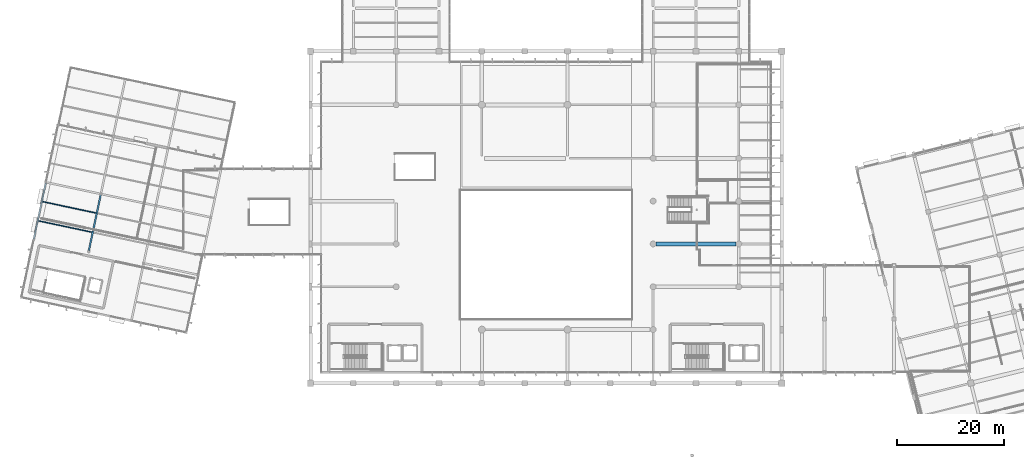
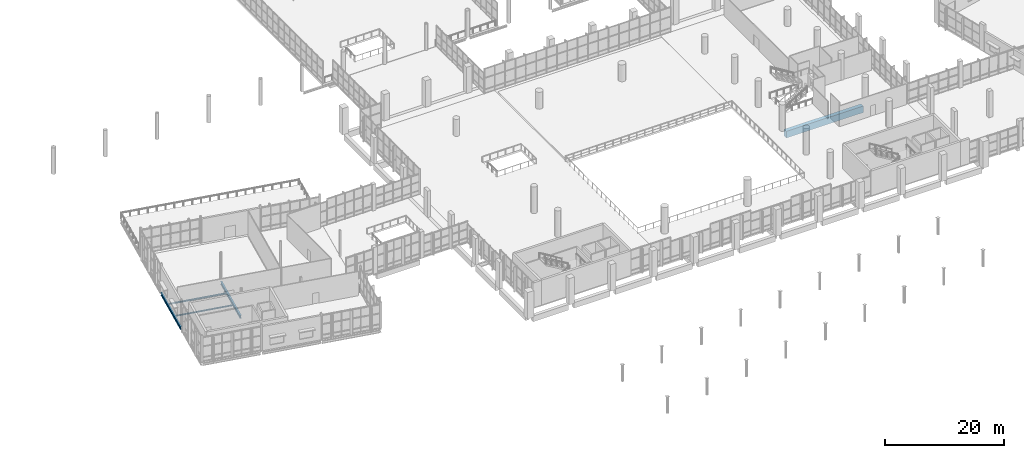
# One storey, part 36 of 176: 5 beams.
"""IFC4 building model written with IfcOpenShell, lengths in metres."""

from ifc_helpers import new_model, si_unit, direction, frame, origin, origin_2d, place, context, subcontext, project, spatial, rectangle, i_section, extrude, material, material_profile, profile_set, type_object, element, save


model = new_model("IFC4")

# Units and contexts
model_context = context("Model", 3, precision=1e-05, world=origin(), true_north=direction((0.0, 1.0)))
body_context = subcontext(model_context, "Body", "Model", "MODEL_VIEW")
ifc_project = project(units=[si_unit("LENGTHUNIT", "METRE"), si_unit("AREAUNIT", "SQUARE_METRE"), si_unit("VOLUMEUNIT", "CUBIC_METRE"), si_unit("PLANEANGLEUNIT", "RADIAN"), si_unit("MASSUNIT", "GRAM", prefix="KILO")], contexts=[model_context])

# Site, building, storey
site_placement = place(None, origin())
site = spatial("IfcSite", under=ifc_project, at=site_placement, CompositionType="ELEMENT")
building_placement = place(site_placement, origin())
building = spatial("IfcBuilding", under=site, at=building_placement, Name="Khorjan Park Terminus", CompositionType="ELEMENT")
storey_placement = place(building_placement, frame((0.0, 0.0, 6.0)))
storey = spatial("IfcBuildingStorey", under=building, at=storey_placement, Name="L01", CompositionType="ELEMENT", Elevation=6.0)

# Beams
ifc_material_1 = material(Name="Steel S355", Category="steel")
ifc_material_profile_1 = material_profile(ifc_material_1, i_section(OverallWidth=0.3, OverallDepth=0.6, WebThickness=0.0155, FlangeThickness=0.03, FilletRadius=0.027, at=origin_2d()), Name="HEB 600")
ifc_profile_set_1 = profile_set([ifc_material_profile_1], Name="Steel S355")
beam_type_1 = type_object("IfcBeamType", Name="BM-HEB600", PredefinedType="BEAM", material=ifc_profile_set_1)
beam_1_placement = place(storey_placement, frame((-3.6828, 52.9015, -0.66), z_axis=(0.207909789374, 0.978148004896, 0.0), x_axis=(-0.978148004896, 0.207909789374, 0.0)))
element("IfcBeam", 1, at=beam_1_placement, inside=storey, type_object=beam_type_1, Name="Primary skew-grid floor girder SB-B60 (L01)", PredefinedType="BEAM", context=body_context, shape_type="SweptSolid", body=[
    extrude(i_section(OverallWidth=0.3, OverallDepth=0.6, WebThickness=0.0155, FlangeThickness=0.03, FilletRadius=0.027, at=origin_2d()), origin(), (0.0, 0.0, 1.0), 10.7099),
])
beam_2_placement = place(storey_placement, frame((6.5988, 50.7704, -0.66), z_axis=(0.207910301084, 0.97814789613, 0.0), x_axis=(-0.97814789613, 0.207910301084, 0.0)))
element("IfcBeam", 2, at=beam_2_placement, inside=storey, type_object=beam_type_1, Name="Primary skew-grid floor girder SB-B60 (L01)", PredefinedType="BEAM", context=body_context, shape_type="SweptSolid", body=[
    extrude(i_section(OverallWidth=0.3, OverallDepth=0.6, WebThickness=0.0155, FlangeThickness=0.03, FilletRadius=0.027, at=origin_2d()), origin(), (0.0, 0.0, 1.0), 10.6036),
])
ifc_material_2 = material(Name="Concrete C50/60", Category="concrete")
ifc_material_profile_2 = material_profile(ifc_material_2, rectangle(XDim=0.75, YDim=1.35, at=origin_2d()), Name="RC 750x1350")
ifc_profile_set_2 = profile_set([ifc_material_profile_2], Name="Concrete C50/60")
beam_type_2 = type_object("IfcBeamType", Name="BM-RC750x1350", PredefinedType="BEAM", material=ifc_profile_set_2)
beam_3_placement = place(storey_placement, frame((112.545, 52.0, -1.035), z_axis=(1.0, 0.0, 0.0), x_axis=(0.0, 1.0, 0.0)))
element("IfcBeam", 3, at=beam_3_placement, inside=storey, type_object=beam_type_2, Name="Primary floor girder GB-13 (L01)", PredefinedType="BEAM", context=body_context, shape_type="SweptSolid", body=[
    extrude(rectangle(XDim=0.75, YDim=1.35, at=origin_2d()), origin(), (0.0, 0.0, 1.0), 14.91),
])
ifc_material_profile_3 = material_profile(ifc_material_1, i_section(OverallWidth=0.135, OverallDepth=0.27, WebThickness=0.0066, FlangeThickness=0.0102, FilletRadius=0.015, at=origin_2d()), Name="IPE 270")
ifc_profile_set_3 = profile_set([ifc_material_profile_3], Name="Steel S355")
beam_type_3 = type_object("IfcBeamType", Name="JS-IPE270", PredefinedType="JOIST", material=ifc_profile_set_3)
beam_4_placement = place(storey_placement, frame((-2.8039, 56.315, -0.495), z_axis=(0.978147562282, -0.207911871719, 0.0), x_axis=(0.207911871719, 0.978147562282, 0.0)))
element("IfcBeam", 4, at=beam_4_placement, inside=storey, type_object=beam_type_3, Name="Secondary composite floor joist SJ-27 (L01)", PredefinedType="JOIST", context=body_context, shape_type="SweptSolid", body=[
    extrude(i_section(OverallWidth=0.135, OverallDepth=0.27, WebThickness=0.0066, FlangeThickness=0.0102, FilletRadius=0.015, at=origin_2d()), origin(), (0.0, 0.0, 1.0), 10.2),
])
ifc_material_profile_4 = material_profile(ifc_material_1, i_section(OverallWidth=0.15, OverallDepth=0.3, WebThickness=0.0071, FlangeThickness=0.0107, FilletRadius=0.015, at=origin_2d()), Name="IPE 300")
ifc_profile_set_4 = profile_set([ifc_material_profile_4], Name="Steel S355")
beam_type_4 = type_object("IfcBeamType", Name="JS-IPE300", PredefinedType="JOIST", material=ifc_profile_set_4)
beam_5_placement = place(storey_placement, frame((-2.0416, 59.9015, -0.51), z_axis=(0.978147562282, -0.207911871719, 0.0), x_axis=(0.207911871719, 0.978147562282, 0.0)))
element("IfcBeam", 5, at=beam_5_placement, inside=storey, type_object=beam_type_4, Name="Secondary composite floor joist SJ-30 (L01)", PredefinedType="JOIST", context=body_context, shape_type="SweptSolid", body=[
    extrude(i_section(OverallWidth=0.15, OverallDepth=0.3, WebThickness=0.0071, FlangeThickness=0.0107, FilletRadius=0.015, at=origin_2d()), origin(), (0.0, 0.0, 1.0), 10.2),
])

save(model, "model.ifc")
